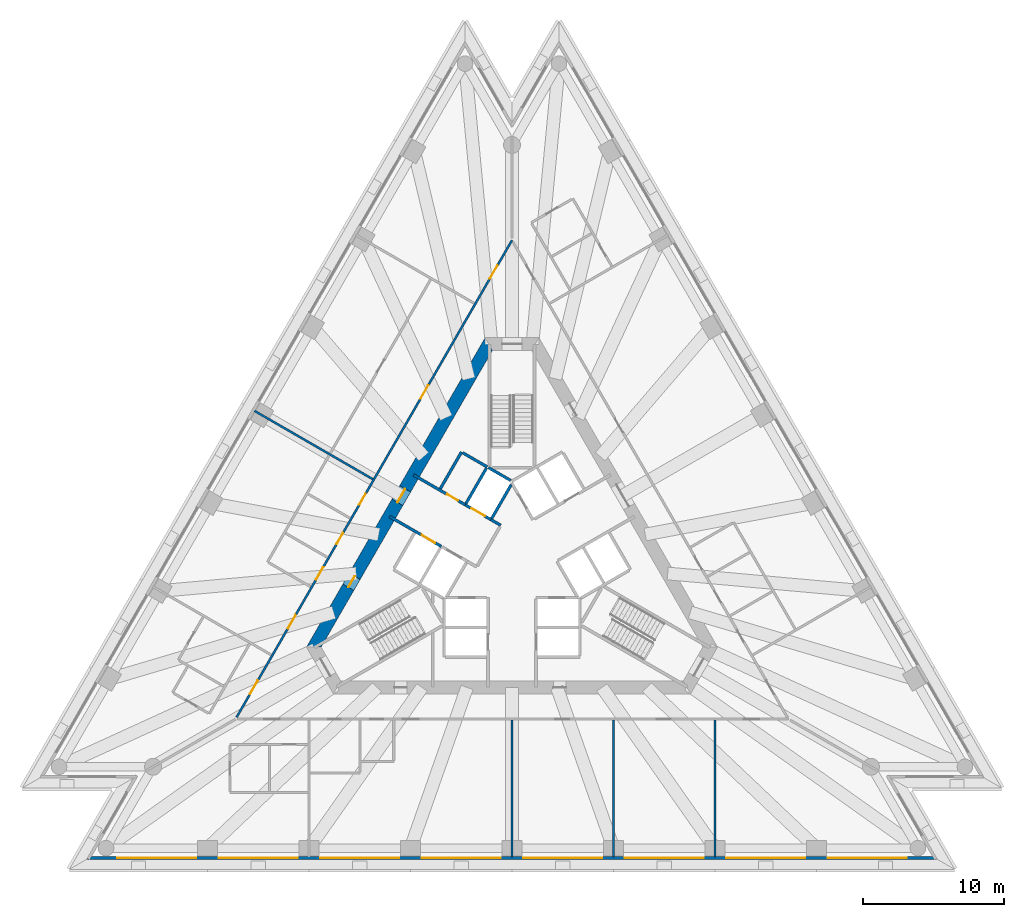
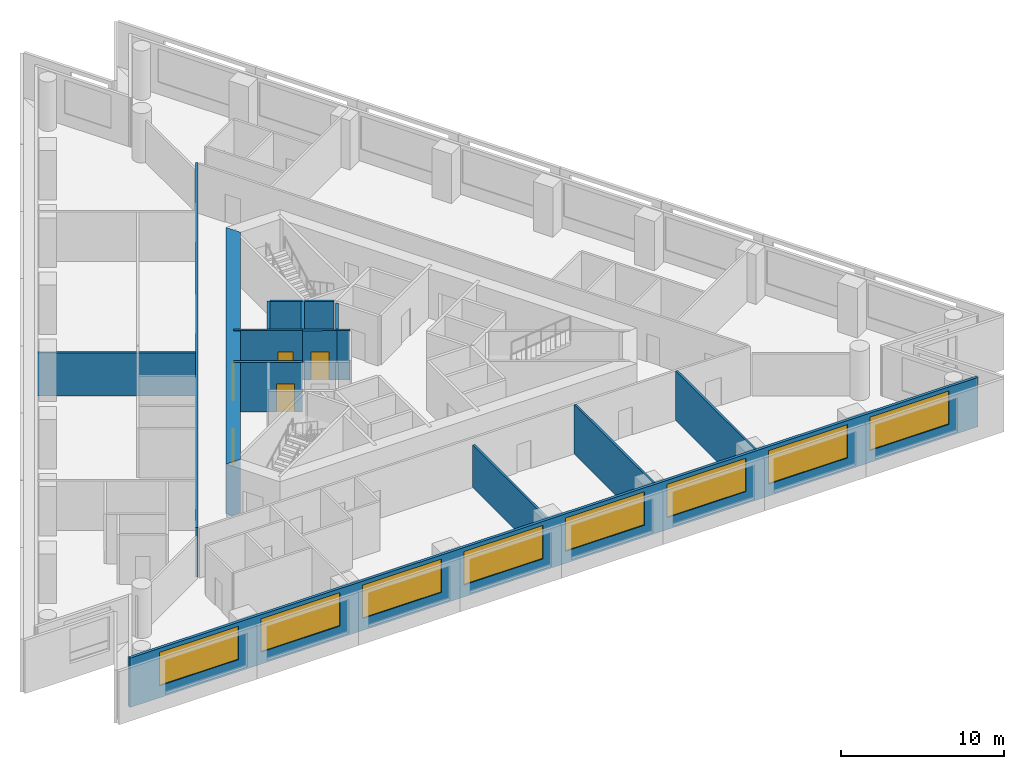
# One storey, part 4 of 11: 16 walls, 12 doors, 8 windows, 20 openings.
"""IFC4 building model written with IfcOpenShell, lengths in metres."""

from ifc_helpers import new_model, si_unit, direction, frame, frame_2d, origin, place, context, subcontext, project, spatial, polyline, rectangle, outline, extrude, material, layer, layer_set, layer_usage, type_object, element, fill, save


model = new_model("IFC4")

# Units and contexts
model_context = context("Model", 3, precision=1e-05, world=origin(), true_north=direction((0.0, 1.0)))
body_context = subcontext(model_context, "Body", "Model", "MODEL_VIEW")
ifc_project = project(units=[si_unit("LENGTHUNIT", "METRE"), si_unit("AREAUNIT", "SQUARE_METRE"), si_unit("VOLUMEUNIT", "CUBIC_METRE"), si_unit("PLANEANGLEUNIT", "RADIAN"), si_unit("MASSUNIT", "GRAM", prefix="KILO")], contexts=[model_context])

# Site, building, storey
site_placement = place(None, origin())
site = spatial("IfcSite", under=ifc_project, at=site_placement, CompositionType="ELEMENT")
building_placement = place(site_placement, origin())
building = spatial("IfcBuilding", under=site, at=building_placement, Name="Triada Interchange Tower", CompositionType="ELEMENT")
storey_placement = place(building_placement, frame((0.0, 0.0, 83.300048828125)))
storey = spatial("IfcBuildingStorey", under=building, at=storey_placement, Name="L18", CompositionType="ELEMENT", Elevation=83.300048828125)

# Wall, opening, door
ifc_material_1 = material(Name="Concrete C30/37", Category="concrete")
ifc_layer_1 = layer(ifc_material_1, 0.199951171875)
ifc_layer_set_1 = layer_set([ifc_layer_1], Name="CORE WALL 200 EI 180")
wall_type_1 = type_object("IfcWallType", Name="CORE WALL 200 EI 180", PredefinedType="SOLIDWALL", material=ifc_layer_set_1)
wall_1_placement = place(storey_placement, frame((-8.669921875, 3.04296875, 0.0), z_axis=(0.0, 0.0, 1.0), x_axis=(0.866029956157, -0.499992114976, 0.0)))
wall_1 = element("IfcWall", 1, at=wall_1_placement, inside=storey, type_object=wall_type_1, Name="Wall L18 64", PredefinedType="SOLIDWALL", context=body_context, shape_type="SweptSolid", body=[
    extrude(rectangle(XDim=4.23193359375, YDim=0.199951171875, at=frame_2d((2.115966796875, 0.0))), origin(), (0.0, 0.0, 1.0), 3.699951171875),
])
opening_1_placement = place(wall_1_placement, frame((2.6298828125, 0.0, 0.0)))
opening_1 = element("IfcOpeningElement", 2, at=opening_1_placement, cuts=wall_1, Name="Opening LD-SV1", PredefinedType="OPENING", context=body_context, shape_type="SweptSolid", body=[
    extrude(rectangle(XDim=1.10009765625, YDim=2.10009765625, at=frame_2d((0.550048828125, 1.050048828125))), frame((0.0, 0.10986328125, 0.0), z_axis=(0.0, -1.0, 0.0), x_axis=(1.0, 0.0, 0.0)), (0.0, 0.0, 1.0), 0.219970703125),
])
ifc_material_2 = material(Name="Steel S235 door leaf", Category="steel")
door_type_1 = type_object("IfcDoorType", Name="LIFT LANDING DOOR 1100 EI 120", OperationType="SLIDING_TO_LEFT", PredefinedType="DOOR", material=ifc_material_2)
door_1_placement = place(opening_1_placement, origin())
door_1 = element("IfcDoor", 3, at=door_1_placement, inside=storey, type_object=door_type_1, Name="SV1 landing door L18", OperationType="SLIDING_TO_LEFT", OverallHeight=2.10009765625, OverallWidth=1.10009765625, PredefinedType="DOOR", context=body_context, shape_type="SweptSolid", body=[
    extrude(rectangle(XDim=1.10009765625, YDim=2.10009765625, at=frame_2d((0.550048828125, 1.050048828125))), frame((0.0, 0.02490234375, 0.0), z_axis=(0.0, -1.0, 0.0), x_axis=(1.0, 0.0, 0.0)), (0.0, 0.0, 1.0), 0.050048828125),
])
fill(opening_1, door_1)

wall_2_placement = place(storey_placement, frame((-6.969970703125, 5.987060546875, 0.0), z_axis=(0.0, 0.0, 1.0), x_axis=(0.866029956157, -0.499992114976, 0.0)))
wall_2 = element("IfcWall", 4, at=wall_2_placement, inside=storey, type_object=wall_type_1, Name="Wall L18 66", PredefinedType="SOLIDWALL", context=body_context, shape_type="SweptSolid", body=[
    extrude(rectangle(XDim=4.23193359375, YDim=0.199951171875, at=frame_2d((2.115966796875, 0.0))), origin(), (0.0, 0.0, 1.0), 3.699951171875),
])
opening_2_placement = place(wall_2_placement, frame((2.72998046875, 0.0, 0.0)))
opening_2 = element("IfcOpeningElement", 5, at=opening_2_placement, cuts=wall_2, Name="Opening D18-10", PredefinedType="OPENING", context=body_context, shape_type="SweptSolid", body=[
    extrude(rectangle(XDim=0.89990234375, YDim=2.10009765625, at=frame_2d((0.449951171875, 1.050048828125))), frame((0.0, 0.10986328125, 0.0), z_axis=(0.0, -1.0, 0.0), x_axis=(1.0, 0.0, 0.0)), (0.0, 0.0, 1.0), 0.219970703125),
])
door_type_2 = type_object("IfcDoorType", Name="SERVICE DOOR 900 EI2 90-C5S200", OperationType="NOTDEFINED", PredefinedType="DOOR", material=ifc_material_2)
door_2_placement = place(opening_2_placement, origin())
door_2 = element("IfcDoor", 6, at=door_2_placement, inside=storey, type_object=door_type_2, Name="Door D18-10 L18", OperationType="SINGLE_SWING_LEFT", OverallHeight=2.10009765625, OverallWidth=0.89990234375, PredefinedType="DOOR", context=body_context, shape_type="SweptSolid", body=[
    extrude(rectangle(XDim=0.89990234375, YDim=2.10009765625, at=frame_2d((0.449951171875, 1.050048828125))), frame((0.0, 0.02490234375, 0.0), z_axis=(0.0, -1.0, 0.0), x_axis=(1.0, 0.0, 0.0)), (0.0, 0.0, 1.0), 0.050048828125),
])
fill(opening_2, door_2)

# Walls
wall_3_placement = place(storey_placement, frame((-1.488037109375, 2.822021484375, 0.0), z_axis=(0.0, 0.0, 1.0), x_axis=(0.866236612152, -0.499633997809, 0.0)))
element("IfcWall", 7, at=wall_3_placement, inside=storey, type_object=wall_type_1, Name="Wall L18 67", PredefinedType="SOLIDWALL", context=body_context, shape_type="SweptSolid", body=[
    extrude(rectangle(XDim=0.79638671875, YDim=0.199951171875, at=frame_2d((0.398193359375, 0.0))), origin(), (0.0, 0.0, 1.0), 3.699951171875),
])
wall_4_placement = place(storey_placement, frame((-5.075927734375, 5.009033203125, 0.0), z_axis=(0.0, 0.0, 1.0), x_axis=(0.50002537861, 0.866010750942, 0.0)))
element("IfcWall", 8, at=wall_4_placement, inside=storey, type_object=wall_type_1, Name="Wall L18 68", PredefinedType="SOLIDWALL", context=body_context, shape_type="SweptSolid", body=[
    extrude(rectangle(XDim=2.999755859375, YDim=0.199951171875, at=frame_2d((1.5, 0.0))), origin(), (0.0, 0.0, 1.0), 3.699951171875),
])
wall_5_placement = place(storey_placement, frame((-3.489013671875, 7.556884765625, 0.0), z_axis=(0.0, 0.0, 1.0), x_axis=(0.866010750942, -0.50002537861, 0.0)))
element("IfcWall", 9, at=wall_5_placement, inside=storey, type_object=wall_type_1, Name="Wall L18 69", PredefinedType="SOLIDWALL", context=body_context, shape_type="SweptSolid", body=[
    extrude(rectangle(XDim=2.0, YDim=0.199951171875, at=frame_2d((1.0, 0.0))), origin(), (0.0, 0.0, 1.0), 3.699951171875),
])

# Wall, opening, door
wall_6_placement = place(storey_placement, frame((-3.30908203125, 3.873046875, 0.0), z_axis=(0.0, 0.0, 1.0), x_axis=(0.866098583652, -0.499873227325, 0.0)))
wall_6 = element("IfcWall", 10, at=wall_6_placement, inside=storey, type_object=wall_type_1, Name="Shaft wall FF2 L18 75", PredefinedType="SOLIDWALL", context=body_context, shape_type="SweptSolid", body=[
    extrude(rectangle(XDim=2.1025390625, YDim=0.199951171875, at=frame_2d((1.05126953125, 0.0))), origin(), (0.0, 0.0, 1.0), 3.699951171875),
])
opening_3_placement = place(wall_6_placement, frame((0.501953125, 0.0, 0.0)))
opening_3 = element("IfcOpeningElement", 11, at=opening_3_placement, cuts=wall_6, Name="Opening LD-FF2", PredefinedType="OPENING", context=body_context, shape_type="SweptSolid", body=[
    extrude(rectangle(XDim=1.10009765625, YDim=2.10009765625, at=frame_2d((0.550048828125, 1.050048828125))), frame((0.0, 0.10986328125, 0.0), z_axis=(0.0, -1.0, 0.0), x_axis=(1.0, 0.0, 0.0)), (0.0, 0.0, 1.0), 0.219970703125),
])
door_3_placement = place(opening_3_placement, origin())
door_3 = element("IfcDoor", 12, at=door_3_placement, inside=storey, type_object=door_type_1, Name="FF2 landing door L18", OperationType="SLIDING_TO_LEFT", OverallHeight=2.10009765625, OverallWidth=1.10009765625, PredefinedType="DOOR", context=body_context, shape_type="SweptSolid", body=[
    extrude(rectangle(XDim=1.10009765625, YDim=2.10009765625, at=frame_2d((0.550048828125, 1.050048828125))), frame((0.0, 0.02490234375, 0.0), z_axis=(0.0, -1.0, 0.0), x_axis=(1.0, 0.0, 0.0)), (0.0, 0.0, 1.0), 0.050048828125),
])
fill(opening_3, door_3)

# Walls
wall_7_placement = place(storey_placement, frame((-3.257080078125, 3.958984375, 0.0), z_axis=(0.0, 0.0, 1.0), x_axis=(0.50012328804, 0.865954211699, 0.0)))
element("IfcWall", 13, at=wall_7_placement, inside=storey, type_object=wall_type_1, Name="Shaft wall FF2 L18 76", PredefinedType="SOLIDWALL", context=body_context, shape_type="SweptSolid", body=[
    extrude(rectangle(XDim=2.899658203125, YDim=0.199951171875, at=frame_2d((1.44970703125, 0.0))), origin(), (0.0, 0.0, 1.0), 3.699951171875),
])
wall_8_placement = place(storey_placement, frame((-1.669921875, 6.507080078125, 0.0), z_axis=(0.0, 0.0, 1.0), x_axis=(0.865941441609, -0.500145398563, 0.0)))
element("IfcWall", 14, at=wall_8_placement, inside=storey, type_object=wall_type_1, Name="Shaft wall FF2 L18 77", PredefinedType="SOLIDWALL", context=body_context, shape_type="SweptSolid", body=[
    extrude(rectangle(XDim=1.8154296875, YDim=0.199951171875, at=frame_2d((0.90771484375, 0.0))), origin(), (0.0, 0.0, 1.0), 3.699951171875),
])
wall_9_placement = place(storey_placement, frame((-1.43798828125, 2.908935546875, 0.0), z_axis=(0.0, 0.0, 1.0), x_axis=(0.499829630636, 0.866123744241, 0.0)))
element("IfcWall", 15, at=wall_9_placement, inside=storey, type_object=wall_type_1, Name="Shaft wall FF2 L18 78", PredefinedType="SOLIDWALL", context=body_context, shape_type="SweptSolid", body=[
    extrude(rectangle(XDim=2.7607421875, YDim=0.199951171875, at=frame_2d((1.38037109375, 0.0))), origin(), (0.0, 0.0, 1.0), 3.699951171875),
])

# Wall, openings, doors
ifc_material_3 = material(Name="Concrete C70/85", Category="concrete")
ifc_layer_2 = layer(ifc_material_3, 0.89990234375)
ifc_layer_set_2 = layer_set([ifc_layer_2], Name="Core wall A 900")
wall_type_2 = type_object("IfcWallType", Name="Core wall A 900", PredefinedType="SHEAR", material=ifc_layer_set_2)
wall_10_placement = place(storey_placement, frame((-1.64501953125, 15.25, -0.300048828125), z_axis=(0.0, 0.0, 1.0), x_axis=(-0.500026485275, -0.866010111964, 0.0)))
wall_10 = element("IfcWall", 16, at=wall_10_placement, inside=storey, type_object=wall_type_2, Name="Core wall WA02 L18", PredefinedType="SHEAR", context=body_context, shape_type="SweptSolid", body=[
    extrude(outline(polyline([(-0.260009765625, -0.449951171875), (1.685302734375, -0.449951171875), (3.63037109375, -0.44970703125), (5.57568359375, -0.44970703125), (7.52099609375, -0.44970703125), (9.466064453125, -0.449462890625), (11.411376953125, -0.449462890625), (13.356689453125, -0.449462890625), (15.302001953125, -0.449462890625), (17.2470703125, -0.44921875), (19.1923828125, -0.44921875), (21.1376953125, -0.44921875), (23.082763671875, -0.448974609375), (25.028076171875, -0.448974609375), (24.509033203125, 0.449951171875), (22.643798828125, 0.449951171875), (20.7783203125, 0.44970703125), (18.9130859375, 0.44970703125), (17.0478515625, 0.44970703125), (15.182373046875, 0.449462890625), (13.317138671875, 0.449462890625), (11.451904296875, 0.449462890625), (9.586669921875, 0.449462890625), (7.72119140625, 0.44921875), (5.85595703125, 0.44921875), (3.99072265625, 0.44921875), (2.125244140625, 0.448974609375), (0.260009765625, 0.448974609375), (-0.260009765625, -0.449951171875)])), origin(), (0.0, 0.0, 1.0), 4.0),
])
opening_4_placement = place(wall_10_placement, frame((11.833984375, 0.0, 0.300048828125)))
opening_4 = element("IfcOpeningElement", 17, at=opening_4_placement, cuts=wall_10, Name="Opening D18-42", PredefinedType="OPENING", context=body_context, shape_type="SweptSolid", body=[
    extrude(rectangle(XDim=1.10009765625, YDim=2.10009765625, at=frame_2d((0.550048828125, 1.050048828125))), frame((0.0, 0.4599609375, 0.0), z_axis=(0.0, -1.0, 0.0), x_axis=(1.0, 0.0, 0.0)), (0.0, 0.0, 1.0), 0.919921875),
])
opening_5_placement = place(wall_10_placement, frame((18.97607421875, 0.0, 0.300048828125)))
opening_5 = element("IfcOpeningElement", 18, at=opening_5_placement, cuts=wall_10, Name="Opening D18-43", PredefinedType="OPENING", context=body_context, shape_type="SweptSolid", body=[
    extrude(rectangle(XDim=0.89990234375, YDim=2.10009765625, at=frame_2d((0.449951171875, 1.050048828125))), frame((0.0, 0.4599609375, 0.0), z_axis=(0.0, -1.0, 0.0), x_axis=(1.0, 0.0, 0.0)), (0.0, 0.0, 1.0), 0.919921875),
])
door_type_3 = type_object("IfcDoorType", Name="FIRE LOBBY DOOR 1100 EI2 90-C5S200", OperationType="NOTDEFINED", PredefinedType="DOOR", material=ifc_material_2)
door_4_placement = place(opening_4_placement, origin())
door_4 = element("IfcDoor", 19, at=door_4_placement, inside=storey, type_object=door_type_3, Name="Door D18-42 L18", OperationType="SINGLE_SWING_LEFT", OverallHeight=2.10009765625, OverallWidth=1.10009765625, PredefinedType="DOOR", context=body_context, shape_type="SweptSolid", body=[
    extrude(rectangle(XDim=1.10009765625, YDim=2.10009765625, at=frame_2d((0.550048828125, 1.050048828125))), frame((0.0, 0.02490234375, 0.0), z_axis=(0.0, -1.0, 0.0), x_axis=(1.0, 0.0, 0.0)), (0.0, 0.0, 1.0), 0.050048828125),
])
fill(opening_4, door_4)
door_type_4 = type_object("IfcDoorType", Name="SERVICE DOOR 900 EI2 45-C5S200", OperationType="NOTDEFINED", PredefinedType="DOOR", material=ifc_material_2)
door_5_placement = place(opening_5_placement, origin())
door_5 = element("IfcDoor", 20, at=door_5_placement, inside=storey, type_object=door_type_4, Name="Door D18-43 L18", OperationType="SINGLE_SWING_LEFT", OverallHeight=2.10009765625, OverallWidth=0.89990234375, PredefinedType="DOOR", context=body_context, shape_type="SweptSolid", body=[
    extrude(rectangle(XDim=0.89990234375, YDim=2.10009765625, at=frame_2d((0.449951171875, 1.050048828125))), frame((0.0, 0.02490234375, 0.0), z_axis=(0.0, -1.0, 0.0), x_axis=(1.0, 0.0, 0.0)), (0.0, 0.0, 1.0), 0.050048828125),
])
fill(opening_5, door_5)

# Wall, openings, windows
ifc_material_4 = material(Name="Cement board")
ifc_layer_3 = layer(ifc_material_4, 0.02001953125, Name="Cement board cladding")
ifc_material_5 = material(Name="Sheathing board")
ifc_layer_4 = layer(ifc_material_5, 0.014892578125, Name="Sheathing board")
ifc_material_6 = material(Name="Mineral wool")
ifc_layer_5 = layer(ifc_material_6, 0.14990234375, Name="Mineral wool between steel studs")
ifc_material_7 = material(Name="Gypsum board")
ifc_layer_6 = layer(ifc_material_7, 0.014892578125, Name="Plasterboard lining")
ifc_layer_set_3 = layer_set([ifc_layer_3, ifc_layer_4, ifc_layer_5, ifc_layer_6], Name="External wall 200")
ifc_layer_usage = layer_usage(ifc_layer_set_3, "AXIS2", "POSITIVE", -0.10009765625)
wall_type_3 = type_object("IfcWallType", Name="External wall 200", PredefinedType="ELEMENTEDWALL", material=ifc_layer_set_3)
wall_11_placement = place(storey_placement, frame((-30.037109375, -21.12890625, 0.0), z_axis=(0.0, 0.0, 1.0), x_axis=(1.0, 0.0, 0.0)))
wall_11 = element("IfcWall", 21, at=wall_11_placement, inside=storey, type_object=wall_type_3, material=ifc_layer_usage, Name="External wall L18 S", PredefinedType="ELEMENTEDWALL", context=body_context, shape_type="SweptSolid", body=[
    extrude(rectangle(XDim=60.05419921875, YDim=0.199951171875, at=frame_2d((30.027099609375, 0.0))), origin(), (0.0, 0.0, 1.0), 3.699951171875),
])
opening_6_placement = place(wall_11_placement, frame((2.094970703125, 0.0, 0.89990234375)))
opening_6 = element("IfcOpeningElement", 22, at=opening_6_placement, cuts=wall_11, Name="Opening WA11", PredefinedType="OPENING", context=body_context, shape_type="SweptSolid", body=[
    extrude(rectangle(XDim=5.60009765625, YDim=2.5, at=frame_2d((2.800048828125, 1.25))), frame((0.0, 0.10986328125, 0.0), z_axis=(0.0, -1.0, 0.0), x_axis=(1.0, 0.0, 0.0)), (0.0, 0.0, 1.0), 0.219970703125),
])
opening_7_placement = place(wall_11_placement, frame((9.278076171875, 0.0, 0.89990234375)))
opening_7 = element("IfcOpeningElement", 23, at=opening_7_placement, cuts=wall_11, Name="Opening WA12", PredefinedType="OPENING", context=body_context, shape_type="SweptSolid", body=[
    extrude(rectangle(XDim=5.60009765625, YDim=2.5, at=frame_2d((2.800048828125, 1.25))), frame((0.0, 0.10986328125, 0.0), z_axis=(0.0, -1.0, 0.0), x_axis=(1.0, 0.0, 0.0)), (0.0, 0.0, 1.0), 0.219970703125),
])
opening_8_placement = place(wall_11_placement, frame((16.4619140625, 0.0, 0.89990234375)))
opening_8 = element("IfcOpeningElement", 24, at=opening_8_placement, cuts=wall_11, Name="Opening WA13", PredefinedType="OPENING", context=body_context, shape_type="SweptSolid", body=[
    extrude(rectangle(XDim=5.60009765625, YDim=2.5, at=frame_2d((2.800048828125, 1.25))), frame((0.0, 0.10986328125, 0.0), z_axis=(0.0, -1.0, 0.0), x_axis=(1.0, 0.0, 0.0)), (0.0, 0.0, 1.0), 0.219970703125),
])
opening_9_placement = place(wall_11_placement, frame((23.64501953125, 0.0, 0.89990234375)))
opening_9 = element("IfcOpeningElement", 25, at=opening_9_placement, cuts=wall_11, Name="Opening WA14", PredefinedType="OPENING", context=body_context, shape_type="SweptSolid", body=[
    extrude(rectangle(XDim=5.60009765625, YDim=2.5, at=frame_2d((2.800048828125, 1.25))), frame((0.0, 0.10986328125, 0.0), z_axis=(0.0, -1.0, 0.0), x_axis=(1.0, 0.0, 0.0)), (0.0, 0.0, 1.0), 0.219970703125),
])
opening_10_placement = place(wall_11_placement, frame((30.8291015625, 0.0, 0.89990234375)))
opening_10 = element("IfcOpeningElement", 26, at=opening_10_placement, cuts=wall_11, Name="Opening WA15", PredefinedType="OPENING", context=body_context, shape_type="SweptSolid", body=[
    extrude(rectangle(XDim=5.60009765625, YDim=2.5, at=frame_2d((2.800048828125, 1.25))), frame((0.0, 0.10986328125, 0.0), z_axis=(0.0, -1.0, 0.0), x_axis=(1.0, 0.0, 0.0)), (0.0, 0.0, 1.0), 0.219970703125),
])
opening_11_placement = place(wall_11_placement, frame((38.011962890625, 0.0, 0.89990234375)))
opening_11 = element("IfcOpeningElement", 27, at=opening_11_placement, cuts=wall_11, Name="Opening WA16", PredefinedType="OPENING", context=body_context, shape_type="SweptSolid", body=[
    extrude(rectangle(XDim=5.60009765625, YDim=2.5, at=frame_2d((2.800048828125, 1.25))), frame((0.0, 0.10986328125, 0.0), z_axis=(0.0, -1.0, 0.0), x_axis=(1.0, 0.0, 0.0)), (0.0, 0.0, 1.0), 0.219970703125),
])
opening_12_placement = place(wall_11_placement, frame((45.196044921875, 0.0, 0.89990234375)))
opening_12 = element("IfcOpeningElement", 28, at=opening_12_placement, cuts=wall_11, Name="Opening WA17", PredefinedType="OPENING", context=body_context, shape_type="SweptSolid", body=[
    extrude(rectangle(XDim=5.60009765625, YDim=2.5, at=frame_2d((2.800048828125, 1.25))), frame((0.0, 0.10986328125, 0.0), z_axis=(0.0, -1.0, 0.0), x_axis=(1.0, 0.0, 0.0)), (0.0, 0.0, 1.0), 0.219970703125),
])
opening_13_placement = place(wall_11_placement, frame((52.37890625, 0.0, 0.89990234375)))
opening_13 = element("IfcOpeningElement", 29, at=opening_13_placement, cuts=wall_11, Name="Opening WA18", PredefinedType="OPENING", context=body_context, shape_type="SweptSolid", body=[
    extrude(rectangle(XDim=5.60009765625, YDim=2.5, at=frame_2d((2.800048828125, 1.25))), frame((0.0, 0.10986328125, 0.0), z_axis=(0.0, -1.0, 0.0), x_axis=(1.0, 0.0, 0.0)), (0.0, 0.0, 1.0), 0.219970703125),
])
ifc_material_8 = material(Name="Double glazed aluminium window", Category="aluminium")
window_type = type_object("IfcWindowType", Name="Ribbon window A face", PartitioningType="SINGLE_PANEL", PredefinedType="WINDOW", material=ifc_material_8)
window_1_placement = place(opening_6_placement, origin())
window_1 = element("IfcWindow", 30, at=window_1_placement, inside=storey, type_object=window_type, Name="Window L18 S 1", OverallHeight=2.5, OverallWidth=5.60009765625, PartitioningType="SINGLE_PANEL", PredefinedType="WINDOW", context=body_context, shape_type="SweptSolid", body=[
    extrude(rectangle(XDim=5.60009765625, YDim=2.5, at=frame_2d((2.800048828125, 1.25))), frame((0.0, 0.030029296875, 0.0), z_axis=(0.0, -1.0, 0.0), x_axis=(1.0, 0.0, 0.0)), (0.0, 0.0, 1.0), 0.06005859375),
])
fill(opening_6, window_1)
window_2_placement = place(opening_7_placement, origin())
window_2 = element("IfcWindow", 31, at=window_2_placement, inside=storey, type_object=window_type, Name="Window L18 S 2", OverallHeight=2.5, OverallWidth=5.60009765625, PartitioningType="SINGLE_PANEL", PredefinedType="WINDOW", context=body_context, shape_type="SweptSolid", body=[
    extrude(rectangle(XDim=5.60009765625, YDim=2.5, at=frame_2d((2.800048828125, 1.25))), frame((0.0, 0.030029296875, 0.0), z_axis=(0.0, -1.0, 0.0), x_axis=(1.0, 0.0, 0.0)), (0.0, 0.0, 1.0), 0.06005859375),
])
fill(opening_7, window_2)
window_3_placement = place(opening_8_placement, origin())
window_3 = element("IfcWindow", 32, at=window_3_placement, inside=storey, type_object=window_type, Name="Window L18 S 3", OverallHeight=2.5, OverallWidth=5.60009765625, PartitioningType="SINGLE_PANEL", PredefinedType="WINDOW", context=body_context, shape_type="SweptSolid", body=[
    extrude(rectangle(XDim=5.60009765625, YDim=2.5, at=frame_2d((2.800048828125, 1.25))), frame((0.0, 0.030029296875, 0.0), z_axis=(0.0, -1.0, 0.0), x_axis=(1.0, 0.0, 0.0)), (0.0, 0.0, 1.0), 0.06005859375),
])
fill(opening_8, window_3)
window_4_placement = place(opening_9_placement, origin())
window_4 = element("IfcWindow", 33, at=window_4_placement, inside=storey, type_object=window_type, Name="Window L18 S 4", OverallHeight=2.5, OverallWidth=5.60009765625, PartitioningType="SINGLE_PANEL", PredefinedType="WINDOW", context=body_context, shape_type="SweptSolid", body=[
    extrude(rectangle(XDim=5.60009765625, YDim=2.5, at=frame_2d((2.800048828125, 1.25))), frame((0.0, 0.030029296875, 0.0), z_axis=(0.0, -1.0, 0.0), x_axis=(1.0, 0.0, 0.0)), (0.0, 0.0, 1.0), 0.06005859375),
])
fill(opening_9, window_4)
window_5_placement = place(opening_10_placement, origin())
window_5 = element("IfcWindow", 34, at=window_5_placement, inside=storey, type_object=window_type, Name="Window L18 S 5", OverallHeight=2.5, OverallWidth=5.60009765625, PartitioningType="SINGLE_PANEL", PredefinedType="WINDOW", context=body_context, shape_type="SweptSolid", body=[
    extrude(rectangle(XDim=5.60009765625, YDim=2.5, at=frame_2d((2.800048828125, 1.25))), frame((0.0, 0.030029296875, 0.0), z_axis=(0.0, -1.0, 0.0), x_axis=(1.0, 0.0, 0.0)), (0.0, 0.0, 1.0), 0.06005859375),
])
fill(opening_10, window_5)
window_6_placement = place(opening_11_placement, origin())
window_6 = element("IfcWindow", 35, at=window_6_placement, inside=storey, type_object=window_type, Name="Window L18 S 6", OverallHeight=2.5, OverallWidth=5.60009765625, PartitioningType="SINGLE_PANEL", PredefinedType="WINDOW", context=body_context, shape_type="SweptSolid", body=[
    extrude(rectangle(XDim=5.60009765625, YDim=2.5, at=frame_2d((2.800048828125, 1.25))), frame((0.0, 0.030029296875, 0.0), z_axis=(0.0, -1.0, 0.0), x_axis=(1.0, 0.0, 0.0)), (0.0, 0.0, 1.0), 0.06005859375),
])
fill(opening_11, window_6)
window_7_placement = place(opening_12_placement, origin())
window_7 = element("IfcWindow", 36, at=window_7_placement, inside=storey, type_object=window_type, Name="Window L18 S 7", OverallHeight=2.5, OverallWidth=5.60009765625, PartitioningType="SINGLE_PANEL", PredefinedType="WINDOW", context=body_context, shape_type="SweptSolid", body=[
    extrude(rectangle(XDim=5.60009765625, YDim=2.5, at=frame_2d((2.800048828125, 1.25))), frame((0.0, 0.030029296875, 0.0), z_axis=(0.0, -1.0, 0.0), x_axis=(1.0, 0.0, 0.0)), (0.0, 0.0, 1.0), 0.06005859375),
])
fill(opening_12, window_7)
window_8_placement = place(opening_13_placement, origin())
window_8 = element("IfcWindow", 37, at=window_8_placement, inside=storey, type_object=window_type, Name="Window L18 S 8", OverallHeight=2.5, OverallWidth=5.60009765625, PartitioningType="SINGLE_PANEL", PredefinedType="WINDOW", context=body_context, shape_type="SweptSolid", body=[
    extrude(rectangle(XDim=5.60009765625, YDim=2.5, at=frame_2d((2.800048828125, 1.25))), frame((0.0, 0.030029296875, 0.0), z_axis=(0.0, -1.0, 0.0), x_axis=(1.0, 0.0, 0.0)), (0.0, 0.0, 1.0), 0.06005859375),
])
fill(opening_13, window_8)

# Wall, openings, doors
ifc_material_9 = material(Name="Gypsum board partition")
ifc_layer_7 = layer(ifc_material_9, 0.14990234375)
ifc_layer_set_4 = layer_set([ifc_layer_7], Name="PARTITION 150 EI 180")
wall_type_4 = type_object("IfcWallType", Name="PARTITION 150 EI 180", PredefinedType="PARTITIONING", material=ifc_layer_set_4)
wall_12_placement = place(storey_placement, frame((-19.4970703125, -11.169921875, 0.0), z_axis=(0.0, 0.0, 1.0), x_axis=(0.499998854553, 0.866026065108, 0.0)))
wall_12 = element("IfcWall", 38, at=wall_12_placement, inside=storey, type_object=wall_type_4, Name="Wall L18 3", PredefinedType="PARTITIONING", context=body_context, shape_type="SweptSolid", body=[
    extrude(rectangle(XDim=38.994140625, YDim=0.14990234375, at=frame_2d((19.4970703125, 0.0))), origin(), (0.0, 0.0, 1.0), 3.699951171875),
])
opening_14_placement = place(wall_12_placement, frame((35.843994140625, 0.0, 0.0)))
opening_14 = element("IfcOpeningElement", 39, at=opening_14_placement, cuts=wall_12, Name="Opening D18-28", PredefinedType="OPENING", context=body_context, shape_type="SweptSolid", body=[
    extrude(rectangle(XDim=1.10009765625, YDim=2.10009765625, at=frame_2d((0.550048828125, 1.050048828125))), frame((0.0, 0.0849609375, 0.0), z_axis=(0.0, -1.0, 0.0), x_axis=(1.0, 0.0, 0.0)), (0.0, 0.0, 1.0), 0.169921875),
])
opening_15_placement = place(wall_12_placement, frame((26.0400390625, 0.0, 0.0)))
opening_15 = element("IfcOpeningElement", 40, at=opening_15_placement, cuts=wall_12, Name="Opening D18-29", PredefinedType="OPENING", context=body_context, shape_type="SweptSolid", body=[
    extrude(rectangle(XDim=1.10009765625, YDim=2.10009765625, at=frame_2d((0.550048828125, 1.050048828125))), frame((0.0, 0.0849609375, 0.0), z_axis=(0.0, -1.0, 0.0), x_axis=(1.0, 0.0, 0.0)), (0.0, 0.0, 1.0), 0.169921875),
])
opening_16_placement = place(wall_12_placement, frame((7.27197265625, 0.0, 0.0)))
opening_16 = element("IfcOpeningElement", 41, at=opening_16_placement, cuts=wall_12, Name="Opening D18-31", PredefinedType="OPENING", context=body_context, shape_type="SweptSolid", body=[
    extrude(rectangle(XDim=1.10009765625, YDim=2.10009765625, at=frame_2d((0.550048828125, 1.050048828125))), frame((0.0, 0.0849609375, 0.0), z_axis=(0.0, -1.0, 0.0), x_axis=(1.0, 0.0, 0.0)), (0.0, 0.0, 1.0), 0.169921875),
])
opening_17_placement = place(wall_12_placement, frame((17.3720703125, 0.0, 0.0)))
opening_17 = element("IfcOpeningElement", 42, at=opening_17_placement, cuts=wall_12, Name="Opening D18-32", PredefinedType="OPENING", context=body_context, shape_type="SweptSolid", body=[
    extrude(rectangle(XDim=0.89990234375, YDim=2.10009765625, at=frame_2d((0.449951171875, 1.050048828125))), frame((0.0, 0.0849609375, 0.0), z_axis=(0.0, -1.0, 0.0), x_axis=(1.0, 0.0, 0.0)), (0.0, 0.0, 1.0), 0.169921875),
])
opening_18_placement = place(wall_12_placement, frame((14.172119140625, 0.0, 0.0)))
opening_18 = element("IfcOpeningElement", 43, at=opening_18_placement, cuts=wall_12, Name="Opening D18-33", PredefinedType="OPENING", context=body_context, shape_type="SweptSolid", body=[
    extrude(rectangle(XDim=0.89990234375, YDim=2.10009765625, at=frame_2d((0.449951171875, 1.050048828125))), frame((0.0, 0.0849609375, 0.0), z_axis=(0.0, -1.0, 0.0), x_axis=(1.0, 0.0, 0.0)), (0.0, 0.0, 1.0), 0.169921875),
])
opening_19_placement = place(wall_12_placement, frame((11.27197265625, 0.0, 0.0)))
opening_19 = element("IfcOpeningElement", 44, at=opening_19_placement, cuts=wall_12, Name="Opening D18-34", PredefinedType="OPENING", context=body_context, shape_type="SweptSolid", body=[
    extrude(rectangle(XDim=1.0, YDim=2.10009765625, at=frame_2d((0.5, 1.050048828125))), frame((0.0, 0.0849609375, 0.0), z_axis=(0.0, -1.0, 0.0), x_axis=(1.0, 0.0, 0.0)), (0.0, 0.0, 1.0), 0.169921875),
])
opening_20_placement = place(wall_12_placement, frame((1.904052734375, 0.0, 0.0)))
opening_20 = element("IfcOpeningElement", 45, at=opening_20_placement, cuts=wall_12, Name="Opening D18-35", PredefinedType="OPENING", context=body_context, shape_type="SweptSolid", body=[
    extrude(rectangle(XDim=1.10009765625, YDim=2.10009765625, at=frame_2d((0.550048828125, 1.050048828125))), frame((0.0, 0.0849609375, 0.0), z_axis=(0.0, -1.0, 0.0), x_axis=(1.0, 0.0, 0.0)), (0.0, 0.0, 1.0), 0.169921875),
])
door_type_5 = type_object("IfcDoorType", Name="ROOM DOOR 1000 EI2 90-C5S200", OperationType="NOTDEFINED", PredefinedType="DOOR", material=ifc_material_2)
door_6_placement = place(opening_19_placement, origin())
door_6 = element("IfcDoor", 46, at=door_6_placement, inside=storey, type_object=door_type_5, Name="Door D18-34 L18", OperationType="SINGLE_SWING_RIGHT", OverallHeight=2.10009765625, OverallWidth=1.0, PredefinedType="DOOR", context=body_context, shape_type="SweptSolid", body=[
    extrude(rectangle(XDim=1.0, YDim=2.10009765625, at=frame_2d((0.5, 1.050048828125))), frame((0.0, 0.02490234375, 0.0), z_axis=(0.0, -1.0, 0.0), x_axis=(1.0, 0.0, 0.0)), (0.0, 0.0, 1.0), 0.050048828125),
])
fill(opening_19, door_6)
door_type_6 = type_object("IfcDoorType", Name="ROOM DOOR 900 EI2 90-C5S200", OperationType="NOTDEFINED", PredefinedType="DOOR", material=ifc_material_2)
door_7_placement = place(opening_17_placement, origin())
door_7 = element("IfcDoor", 47, at=door_7_placement, inside=storey, type_object=door_type_6, Name="Door D18-32 L18", OperationType="SINGLE_SWING_LEFT", OverallHeight=2.10009765625, OverallWidth=0.89990234375, PredefinedType="DOOR", context=body_context, shape_type="SweptSolid", body=[
    extrude(rectangle(XDim=0.89990234375, YDim=2.10009765625, at=frame_2d((0.449951171875, 1.050048828125))), frame((0.0, 0.02490234375, 0.0), z_axis=(0.0, -1.0, 0.0), x_axis=(1.0, 0.0, 0.0)), (0.0, 0.0, 1.0), 0.050048828125),
])
fill(opening_17, door_7)
door_8_placement = place(opening_18_placement, origin())
door_8 = element("IfcDoor", 48, at=door_8_placement, inside=storey, type_object=door_type_6, Name="Door D18-33 L18", OperationType="SINGLE_SWING_RIGHT", OverallHeight=2.10009765625, OverallWidth=0.89990234375, PredefinedType="DOOR", context=body_context, shape_type="SweptSolid", body=[
    extrude(rectangle(XDim=0.89990234375, YDim=2.10009765625, at=frame_2d((0.449951171875, 1.050048828125))), frame((0.0, 0.02490234375, 0.0), z_axis=(0.0, -1.0, 0.0), x_axis=(1.0, 0.0, 0.0)), (0.0, 0.0, 1.0), 0.050048828125),
])
fill(opening_18, door_8)
door_type_7 = type_object("IfcDoorType", Name="TENANCY ENTRANCE DOOR 1100 EI2 90-C5S200", OperationType="NOTDEFINED", PredefinedType="DOOR", material=ifc_material_2)
door_9_placement = place(opening_14_placement, origin())
door_9 = element("IfcDoor", 49, at=door_9_placement, inside=storey, type_object=door_type_7, Name="Door D18-28 L18", OperationType="SINGLE_SWING_RIGHT", OverallHeight=2.10009765625, OverallWidth=1.10009765625, PredefinedType="DOOR", context=body_context, shape_type="SweptSolid", body=[
    extrude(rectangle(XDim=1.10009765625, YDim=2.10009765625, at=frame_2d((0.550048828125, 1.050048828125))), frame((0.0, 0.02490234375, 0.0), z_axis=(0.0, -1.0, 0.0), x_axis=(1.0, 0.0, 0.0)), (0.0, 0.0, 1.0), 0.050048828125),
])
fill(opening_14, door_9)
door_10_placement = place(opening_15_placement, origin())
door_10 = element("IfcDoor", 50, at=door_10_placement, inside=storey, type_object=door_type_7, Name="Door D18-29 L18", OperationType="SINGLE_SWING_RIGHT", OverallHeight=2.10009765625, OverallWidth=1.10009765625, PredefinedType="DOOR", context=body_context, shape_type="SweptSolid", body=[
    extrude(rectangle(XDim=1.10009765625, YDim=2.10009765625, at=frame_2d((0.550048828125, 1.050048828125))), frame((0.0, 0.02490234375, 0.0), z_axis=(0.0, -1.0, 0.0), x_axis=(1.0, 0.0, 0.0)), (0.0, 0.0, 1.0), 0.050048828125),
])
fill(opening_15, door_10)
door_11_placement = place(opening_16_placement, origin())
door_11 = element("IfcDoor", 51, at=door_11_placement, inside=storey, type_object=door_type_7, Name="Door D18-31 L18", OperationType="SINGLE_SWING_RIGHT", OverallHeight=2.10009765625, OverallWidth=1.10009765625, PredefinedType="DOOR", context=body_context, shape_type="SweptSolid", body=[
    extrude(rectangle(XDim=1.10009765625, YDim=2.10009765625, at=frame_2d((0.550048828125, 1.050048828125))), frame((0.0, 0.02490234375, 0.0), z_axis=(0.0, -1.0, 0.0), x_axis=(1.0, 0.0, 0.0)), (0.0, 0.0, 1.0), 0.050048828125),
])
fill(opening_16, door_11)
door_12_placement = place(opening_20_placement, origin())
door_12 = element("IfcDoor", 52, at=door_12_placement, inside=storey, type_object=door_type_7, Name="Door D18-35 L18", OperationType="SINGLE_SWING_LEFT", OverallHeight=2.10009765625, OverallWidth=1.10009765625, PredefinedType="DOOR", context=body_context, shape_type="SweptSolid", body=[
    extrude(rectangle(XDim=1.10009765625, YDim=2.10009765625, at=frame_2d((0.550048828125, 1.050048828125))), frame((0.0, 0.02490234375, 0.0), z_axis=(0.0, -1.0, 0.0), x_axis=(1.0, 0.0, 0.0)), (0.0, 0.0, 1.0), 0.050048828125),
])
fill(opening_20, door_12)

# Walls
for number, where, z_axis, x_axis, name in (
    (53, (-18.22900390625, 10.52392578125, 0.0), (0.0, 0.0, 1.0), (0.866029248602, -0.499993340521, 0.0), "Wall L18 5"),
    (54, (0.0, -21.049072265625, 0.0), (0.0, 0.0, 1.0), (0.0, 1.0, 0.0), "Wall L18 17"),
):
    element("IfcWall", number, at=place(storey_placement, frame(where, z_axis=z_axis, x_axis=x_axis)), inside=storey, type_object=wall_type_4, Name=name, PredefinedType="PARTITIONING", context=body_context, shape_type="SweptSolid", body=[
        extrude(rectangle(XDim=9.674072265625, YDim=0.14990234375, at=frame_2d((4.8369140625, 0.0))), origin(), (0.0, 0.0, 1.0), 3.199951171875),
    ])
for number, where, z_axis, x_axis, name in (
    (55, (7.18408203125, -21.049072265625, 0.0), (0.0, 0.0, 1.0), (0.0, 1.0, 0.0), "Wall L18 21"),
    (56, (14.366943359375, -21.049072265625, 0.0), (0.0, 0.0, 1.0), (0.0, 1.0, 0.0), "Wall L18 25"),
):
    element("IfcWall", number, at=place(storey_placement, frame(where, z_axis=z_axis, x_axis=x_axis)), inside=storey, type_object=wall_type_4, Name=name, PredefinedType="PARTITIONING", context=body_context, shape_type="SweptSolid", body=[
        extrude(rectangle(XDim=9.674072265625, YDim=0.14990234375, at=frame_2d((4.8369140625, 0.0))), origin(), (0.0, 0.0, 1.0), 3.699951171875),
    ])

save(model, "model.ifc")
